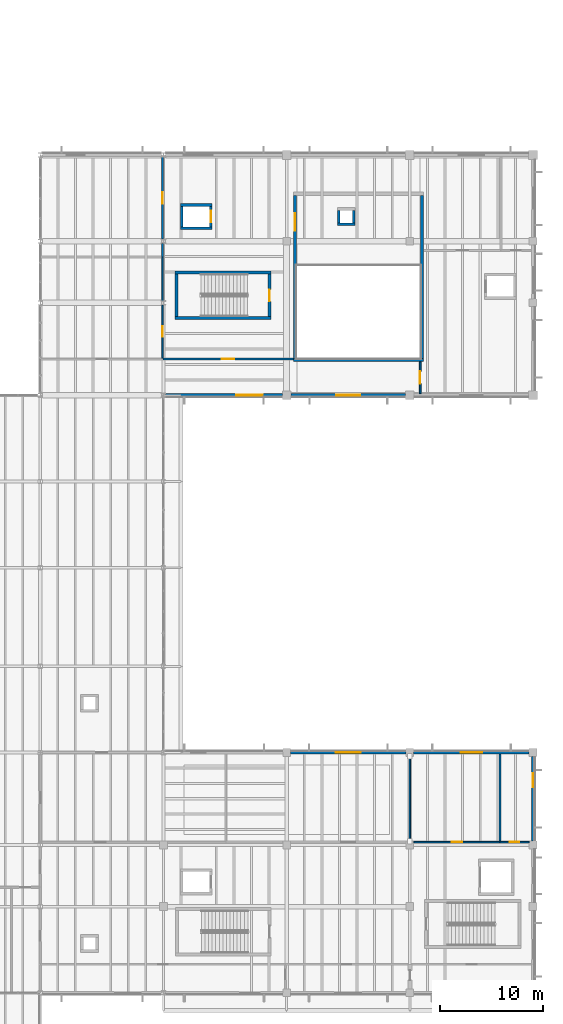
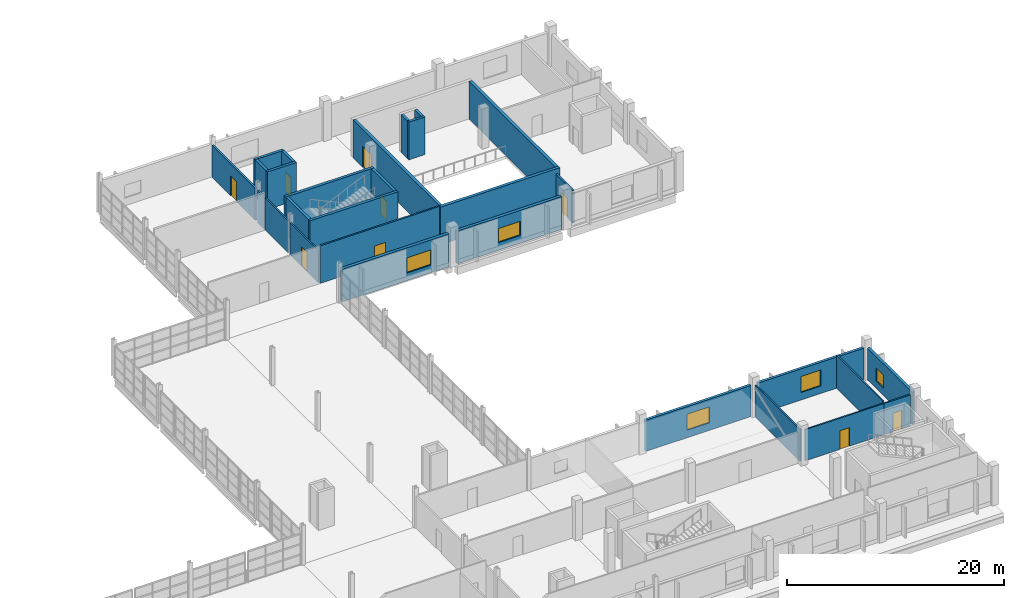
# One storey, part 97 of 114: 29 walls, 9 doors, 5 windows, 14 openings.
"""IFC4 building model written with IfcOpenShell, lengths in metres."""

from ifc_helpers import new_model, si_unit, direction, frame, frame_2d, origin, place, context, subcontext, project, spatial, rectangle, extrude, material, layer, layer_set, type_object, element, fill, save


model = new_model("IFC4")

# Units and contexts
model_context = context("Model", 3, precision=1e-05, world=origin(), true_north=direction((0.0, 1.0)))
body_context = subcontext(model_context, "Body", "Model", "MODEL_VIEW")
ifc_project = project(units=[si_unit("LENGTHUNIT", "METRE"), si_unit("AREAUNIT", "SQUARE_METRE"), si_unit("VOLUMEUNIT", "CUBIC_METRE"), si_unit("PLANEANGLEUNIT", "RADIAN"), si_unit("MASSUNIT", "GRAM", prefix="KILO")], contexts=[model_context])

# Site, building, storey
site_placement = place(None, origin())
site = spatial("IfcSite", under=ifc_project, at=site_placement, CompositionType="ELEMENT")
building_placement = place(site_placement, origin())
building = spatial("IfcBuilding", under=site, at=building_placement, Name="Kelmvaro Bay Concert Hall", CompositionType="ELEMENT")
storey_placement = place(building_placement, frame((0.0, 0.0, 4.800048828125)))
storey = spatial("IfcBuildingStorey", under=building, at=storey_placement, Name="L01", CompositionType="ELEMENT", Elevation=4.800048828125)

# Wall
ifc_material_1 = material(Name="Concrete C40/50", Category="concrete")
ifc_layer_1 = layer(ifc_material_1, 0.31005859375)
ifc_layer_set_1 = layer_set([ifc_layer_1], Name="Concrete C40/50")
wall_type_1 = type_object("IfcWallType", Name="Chamber Inner Box Shear Wall 310", PredefinedType="SHEAR", material=ifc_layer_set_1)
wall_1_placement = place(storey_placement, frame((144.6650390625, 77.219970703125, 0.0), z_axis=(0.0, 0.0, 1.0), x_axis=(1.0, 0.0, 0.0)))
element("IfcWall", 1, at=wall_1_placement, inside=storey, type_object=wall_type_1, Name="L01 V2 Acoustic Inner Box Wall S", PredefinedType="SHEAR", context=body_context, shape_type="SweptSolid", body=[
    extrude(rectangle(XDim=12.669921875, YDim=0.31005859375, at=frame_2d((6.3349609375, 0.0))), origin(), (0.0, 0.0, 1.0), 4.239990234375),
])

# Wall, opening, door
wall_2_placement = place(storey_placement, frame((144.820068359375, 77.375, 0.0), z_axis=(0.0, 0.0, 1.0), x_axis=(0.0, 1.0, 0.0)))
wall_2 = element("IfcWall", 2, at=wall_2_placement, inside=storey, type_object=wall_type_1, Name="L01 V2 Acoustic Inner Box Wall W", PredefinedType="SHEAR", context=body_context, shape_type="SweptSolid", body=[
    extrude(rectangle(XDim=15.889892578125, YDim=0.31005859375, at=frame_2d((7.94482421875, 0.0))), origin(), (0.0, 0.0, 1.0), 4.239990234375),
])
opening_1_placement = place(wall_2_placement, frame((12.45849609375, 0.0, 0.0)))
opening_1 = element("IfcOpeningElement", 3, at=opening_1_placement, cuts=wall_2, Name="Opening ID-AC2", PredefinedType="OPENING", context=body_context, shape_type="SweptSolid", body=[
    extrude(rectangle(XDim=1.679931640625, YDim=2.320068359375, at=frame_2d((0.83984375, 1.16015625))), frame((0.0, 0.1650390625, 0.0), z_axis=(0.0, -1.0, 0.0), x_axis=(1.0, 0.0, 0.0)), (0.0, 0.0, 1.0), 0.330078125),
])
ifc_material_2 = material(Name="Solid White Oak Acoustic Leaf")
door_type_1 = type_object("IfcDoorType", Name="Chamber Hall Acoustic Double Door 1680x2320", OperationType="NOTDEFINED", PredefinedType="DOOR", material=ifc_material_2)
door_1_placement = place(opening_1_placement, origin())
door_1 = element("IfcDoor", 4, at=door_1_placement, inside=storey, type_object=door_type_1, Name="L01 Interior Door DR-INT-L01-0091", OperationType="DOUBLE_DOOR_SINGLE_SWING", OverallHeight=2.320068359375, OverallWidth=1.679931640625, PredefinedType="DOOR", context=body_context, shape_type="SweptSolid", body=[
    extrude(rectangle(XDim=1.679931640625, YDim=2.320068359375, at=frame_2d((0.83984375, 1.16015625))), frame((0.0, 0.02490234375, 0.0), z_axis=(0.0, -1.0, 0.0), x_axis=(1.0, 0.0, 0.0)), (0.0, 0.0, 1.0), 0.050048828125),
])
fill(opening_1, door_1)

# Wall
wall_3_placement = place(storey_placement, frame((157.179931640625, 77.375, 0.0), z_axis=(0.0, 0.0, 1.0), x_axis=(0.0, 1.0, 0.0)))
element("IfcWall", 5, at=wall_3_placement, inside=storey, type_object=wall_type_1, Name="L01 V2 Acoustic Inner Box Wall E", PredefinedType="SHEAR", context=body_context, shape_type="SweptSolid", body=[
    extrude(rectangle(XDim=15.889892578125, YDim=0.31005859375, at=frame_2d((7.94482421875, 0.0))), origin(), (0.0, 0.0, 1.0), 4.239990234375),
])

# Wall, opening, window
ifc_material_3 = material(Name="Precast Concrete C40/50", Category="concrete")
ifc_layer_2 = layer(ifc_material_3, 0.320068359375)
ifc_layer_set_2 = layer_set([ifc_layer_2], Name="Precast Concrete C40/50")
wall_type_2 = type_object("IfcWallType", Name="Chamber Pavilion Precast Wall 320", PredefinedType="SOLIDWALL", material=ifc_layer_set_2)
wall_4_placement = place(storey_placement, frame((143.574951171875, 73.800048828125, 0.0), z_axis=(0.0, 0.0, 1.0), x_axis=(-1.0, 0.0, 0.0)))
wall_4 = element("IfcWall", 6, at=wall_4_placement, inside=storey, type_object=wall_type_2, Name="L01 Exterior Wall EW-L01-0123", PredefinedType="SOLIDWALL", context=body_context, shape_type="SweptSolid", body=[
    extrude(rectangle(XDim=11.37451171875, YDim=0.320068359375, at=frame_2d((5.687255859375, 0.0))), origin(), (0.0, 0.0, 1.0), 3.683837890625),
])
opening_2_placement = place(wall_4_placement, frame((1.885009765625, 0.0, 0.85009765625)))
opening_2 = element("IfcOpeningElement", 7, at=opening_2_placement, cuts=wall_4, Name="Opening WN-17", PredefinedType="OPENING", context=body_context, shape_type="SweptSolid", body=[
    extrude(rectangle(XDim=2.60009765625, YDim=1.699951171875, at=frame_2d((1.300048828125, 0.85009765625))), frame((0.0, 0.169921875, 0.0), z_axis=(0.0, -1.0, 0.0), x_axis=(1.0, 0.0, 0.0)), (0.0, 0.0, 1.0), 0.340087890625),
])
ifc_material_4 = material(Name="Thermally Broken Aluminium and Acoustic Low-E Glass", Category="aluminium")
window_type_1 = type_object("IfcWindowType", Name="Luthiery North-Light Window 2600x1700", PartitioningType="SINGLE_PANEL", PredefinedType="WINDOW", material=ifc_material_4)
window_1_placement = place(opening_2_placement, origin())
window_1 = element("IfcWindow", 8, at=window_1_placement, inside=storey, type_object=window_type_1, Name="L01 Facade Window WN-L01-0046", OverallHeight=1.699951171875, OverallWidth=2.60009765625, PartitioningType="SINGLE_PANEL", PredefinedType="WINDOW", context=body_context, shape_type="SweptSolid", body=[
    extrude(rectangle(XDim=2.60009765625, YDim=1.699951171875, at=frame_2d((1.300048828125, 0.85009765625))), frame((0.0, 0.030029296875, 0.0), z_axis=(0.0, -1.0, 0.0), x_axis=(1.0, 0.0, 0.0)), (0.0, 0.0, 1.0), 0.06005859375),
])
fill(opening_2, window_1)

wall_5_placement = place(storey_placement, frame((155.574951171875, 73.800048828125, 0.0), z_axis=(0.0, 0.0, 1.0), x_axis=(-1.0, 0.0, 0.0)))
wall_5 = element("IfcWall", 9, at=wall_5_placement, inside=storey, type_object=wall_type_2, Name="L01 Exterior Wall EW-L01-0124", PredefinedType="SOLIDWALL", context=body_context, shape_type="SweptSolid", body=[
    extrude(rectangle(XDim=11.14990234375, YDim=0.320068359375, at=frame_2d((5.574951171875, 0.0))), origin(), (0.0, 0.0, 1.0), 3.683837890625),
])
opening_3_placement = place(wall_5_placement, frame((4.425048828125, 0.0, 0.85009765625)))
opening_3 = element("IfcOpeningElement", 10, at=opening_3_placement, cuts=wall_5, Name="Opening WN-18", PredefinedType="OPENING", context=body_context, shape_type="SweptSolid", body=[
    extrude(rectangle(XDim=2.300048828125, YDim=1.60009765625, at=frame_2d((1.14990234375, 0.800048828125))), frame((0.0, 0.169921875, 0.0), z_axis=(0.0, -1.0, 0.0), x_axis=(1.0, 0.0, 0.0)), (0.0, 0.0, 1.0), 0.340087890625),
])
ifc_material_5 = material(Name="Thermally Broken Aluminium and Acoustic Low-E Glass", Category="aluminium")
window_type_2 = type_object("IfcWindowType", Name="Folio Library Reading Window 2300x1600", PartitioningType="SINGLE_PANEL", PredefinedType="WINDOW", material=ifc_material_5)
window_2_placement = place(opening_3_placement, origin())
window_2 = element("IfcWindow", 11, at=window_2_placement, inside=storey, type_object=window_type_2, Name="L01 Facade Window WN-L01-0047", OverallHeight=1.60009765625, OverallWidth=2.300048828125, PartitioningType="SINGLE_PANEL", PredefinedType="WINDOW", context=body_context, shape_type="SweptSolid", body=[
    extrude(rectangle(XDim=2.300048828125, YDim=1.60009765625, at=frame_2d((1.14990234375, 0.800048828125))), frame((0.0, 0.030029296875, 0.0), z_axis=(0.0, -1.0, 0.0), x_axis=(1.0, 0.0, 0.0)), (0.0, 0.0, 1.0), 0.06005859375),
])
fill(opening_3, window_2)

# Wall, opening, door
ifc_material_6 = material(Name="Acoustic Gypsum Board on Galvanised Steel Studs", Category="steel")
ifc_layer_3 = layer(ifc_material_6, 0.169921875)
ifc_layer_set_3 = layer_set([ifc_layer_3], Name="Acoustic Gypsum Board on Galvanised Steel Studs")
wall_type_3 = type_object("IfcWallType", Name="Corridor Fire Compartment Partition 170", PredefinedType="PARTITIONING", material=ifc_layer_set_3)
wall_6_placement = place(storey_placement, frame((131.949951171875, 77.320068359375, 0.0), z_axis=(0.0, 0.0, 1.0), x_axis=(1.0, 0.0, 0.0)))
wall_6 = element("IfcWall", 12, at=wall_6_placement, inside=storey, type_object=wall_type_3, Name="L01 Interior Partition PT-L01-0145", PredefinedType="PARTITIONING", context=body_context, shape_type="SweptSolid", body=[
    extrude(rectangle(XDim=12.705078125, YDim=0.169921875, at=frame_2d((6.3525390625, 0.0))), origin(), (0.0, 0.0, 1.0), 4.219970703125),
])
opening_4_placement = place(wall_6_placement, frame((5.742431640625, 0.0, 0.0)))
opening_4 = element("IfcOpeningElement", 13, at=opening_4_placement, cuts=wall_6, Name="Opening ID-ST2", PredefinedType="OPENING", context=body_context, shape_type="SweptSolid", body=[
    extrude(rectangle(XDim=1.219970703125, YDim=2.179931640625, at=frame_2d((0.60986328125, 1.08984375))), frame((0.0, 0.094970703125, 0.0), z_axis=(0.0, -1.0, 0.0), x_axis=(1.0, 0.0, 0.0)), (0.0, 0.0, 1.0), 0.18994140625),
])
ifc_material_7 = material(Name="Acoustic Oak and Fire Glass", Category="glass")
door_type_2 = type_object("IfcDoorType", Name="Core Lobby Smoke Control Door 1220x2180", OperationType="NOTDEFINED", PredefinedType="DOOR", material=ifc_material_7)
door_2_placement = place(opening_4_placement, origin())
door_2 = element("IfcDoor", 14, at=door_2_placement, inside=storey, type_object=door_type_2, Name="L01 Interior Door DR-INT-L01-0088", OperationType="SINGLE_SWING_RIGHT", OverallHeight=2.179931640625, OverallWidth=1.219970703125, PredefinedType="DOOR", context=body_context, shape_type="SweptSolid", body=[
    extrude(rectangle(XDim=1.219970703125, YDim=2.179931640625, at=frame_2d((0.60986328125, 1.08984375))), frame((0.0, 0.02490234375, 0.0), z_axis=(0.0, -1.0, 0.0), x_axis=(1.0, 0.0, 0.0)), (0.0, 0.0, 1.0), 0.050048828125),
])
fill(opening_4, door_2)

wall_7_placement = place(storey_placement, frame((157.0, 73.969970703125, 0.0), z_axis=(0.0, 0.0, 1.0), x_axis=(0.0, 1.0, 0.0)))
wall_7 = element("IfcWall", 15, at=wall_7_placement, inside=storey, type_object=wall_type_3, Name="L01 Interior Partition PT-L01-0147", PredefinedType="PARTITIONING", context=body_context, shape_type="SweptSolid", body=[
    extrude(rectangle(XDim=3.0849609375, YDim=0.169921875, at=frame_2d((1.54248046875, 0.0))), origin(), (0.0, 0.0, 1.0), 3.683837890625),
])
opening_5_placement = place(wall_7_placement, frame((0.9326171875, 0.0, 0.0)))
opening_5 = element("IfcOpeningElement", 16, at=opening_5_placement, cuts=wall_7, Name="Opening ID-ST2", PredefinedType="OPENING", context=body_context, shape_type="SweptSolid", body=[
    extrude(rectangle(XDim=1.219970703125, YDim=2.179931640625, at=frame_2d((0.60986328125, 1.08984375))), frame((0.0, 0.094970703125, 0.0), z_axis=(0.0, -1.0, 0.0), x_axis=(1.0, 0.0, 0.0)), (0.0, 0.0, 1.0), 0.18994140625),
])
door_3_placement = place(opening_5_placement, origin())
door_3 = element("IfcDoor", 17, at=door_3_placement, inside=storey, type_object=door_type_2, Name="L01 Interior Door DR-INT-L01-0090", OperationType="SINGLE_SWING_RIGHT", OverallHeight=2.179931640625, OverallWidth=1.219970703125, PredefinedType="DOOR", context=body_context, shape_type="SweptSolid", body=[
    extrude(rectangle(XDim=1.219970703125, YDim=2.179931640625, at=frame_2d((0.60986328125, 1.08984375))), frame((0.0, 0.02490234375, 0.0), z_axis=(0.0, -1.0, 0.0), x_axis=(1.0, 0.0, 0.0)), (0.0, 0.0, 1.0), 0.050048828125),
])
fill(opening_5, door_3)

# Wall
ifc_material_8 = material(Name="Acoustic Gypsum Board on Galvanised Steel Studs", Category="steel")
ifc_layer_4 = layer(ifc_material_8, 0.199951171875)
ifc_layer_set_4 = layer_set([ifc_layer_4], Name="Acoustic Gypsum Board on Galvanised Steel Studs")
wall_type_4 = type_object("IfcWallType", Name="Double-Stud Acoustic Studio Partition 200", PredefinedType="PARTITIONING", material=ifc_layer_set_4)
wall_8_placement = place(storey_placement, frame((131.919921875, 87.27490234375, 0.0), z_axis=(0.0, 0.0, 1.0), x_axis=(0.0, 1.0, 0.0)))
element("IfcWall", 18, at=wall_8_placement, inside=storey, type_object=wall_type_4, Name="L01 Interior Partition PT-L01-0150", PredefinedType="PARTITIONING", context=body_context, shape_type="SweptSolid", body=[
    extrude(rectangle(XDim=1.320068359375, YDim=0.199951171875, at=frame_2d((0.66015625, 0.0))), origin(), (0.0, 0.0, 1.0), 3.60791015625),
])

# Wall, opening, door
wall_9_placement = place(storey_placement, frame((131.919921875, 89.0048828125, 0.0), z_axis=(0.0, 0.0, 1.0), x_axis=(0.0, 1.0, 0.0)))
wall_9 = element("IfcWall", 19, at=wall_9_placement, inside=storey, type_object=wall_type_4, Name="L01 Interior Partition PT-L01-0151", PredefinedType="PARTITIONING", context=body_context, shape_type="SweptSolid", body=[
    extrude(rectangle(XDim=7.987548828125, YDim=0.199951171875, at=frame_2d((3.99365234375, 0.0))), origin(), (0.0, 0.0, 1.0), 3.60791015625),
])
opening_6_placement = place(wall_9_placement, frame((3.44384765625, 0.0, 0.0)))
opening_6 = element("IfcOpeningElement", 20, at=opening_6_placement, cuts=wall_9, Name="Opening ID-AC5", PredefinedType="OPENING", context=body_context, shape_type="SweptSolid", body=[
    extrude(rectangle(XDim=1.10009765625, YDim=2.260009765625, at=frame_2d((0.550048828125, 1.1298828125))), frame((0.0, 0.10986328125, 0.0), z_axis=(0.0, -1.0, 0.0), x_axis=(1.0, 0.0, 0.0)), (0.0, 0.0, 1.0), 0.219970703125),
])
ifc_material_9 = material(Name="Acoustic Laminated Steel Core", Category="steel")
door_type_3 = type_object("IfcDoorType", Name="Studio Sound-Lock Heavy Door 1100x2260", OperationType="NOTDEFINED", PredefinedType="DOOR", material=ifc_material_9)
door_4_placement = place(opening_6_placement, origin())
door_4 = element("IfcDoor", 21, at=door_4_placement, inside=storey, type_object=door_type_3, Name="L01 Interior Door DR-INT-L01-0093", OperationType="SINGLE_SWING_LEFT", OverallHeight=2.260009765625, OverallWidth=1.10009765625, PredefinedType="DOOR", context=body_context, shape_type="SweptSolid", body=[
    extrude(rectangle(XDim=1.10009765625, YDim=2.260009765625, at=frame_2d((0.550048828125, 1.1298828125))), frame((0.0, 0.02490234375, 0.0), z_axis=(0.0, -1.0, 0.0), x_axis=(1.0, 0.0, 0.0)), (0.0, 0.0, 1.0), 0.050048828125),
])
fill(opening_6, door_4)

# Wall, opening, window
ifc_material_10 = material(Name="Precast Concrete C40/50", Category="concrete")
ifc_layer_5 = layer(ifc_material_10, 0.280029296875)
ifc_layer_set_5 = layer_set([ifc_layer_5], Name="Precast Concrete C40/50")
wall_type_5 = type_object("IfcWallType", Name="Percussion Pavilion Precast Wall 280", PredefinedType="SOLIDWALL", material=ifc_layer_set_5)
wall_10_placement = place(storey_placement, frame((144.375, 39.0, 0.0), z_axis=(0.0, 0.0, 1.0), x_axis=(1.0, 0.0, 0.0)))
wall_10 = element("IfcWall", 22, at=wall_10_placement, inside=storey, type_object=wall_type_5, Name="L01 Exterior Wall EW-L01-0215", PredefinedType="SOLIDWALL", context=body_context, shape_type="SweptSolid", body=[
    extrude(rectangle(XDim=11.25, YDim=0.280029296875, at=frame_2d((5.625, 0.0))), origin(), (0.0, 0.0, 1.0), 3.5068359375),
])
opening_7_placement = place(wall_10_placement, frame((4.425048828125, 0.0, 0.85009765625)))
opening_7 = element("IfcOpeningElement", 23, at=opening_7_placement, cuts=wall_10, Name="Opening WN-01", PredefinedType="OPENING", context=body_context, shape_type="SweptSolid", body=[
    extrude(rectangle(XDim=2.39990234375, YDim=1.800048828125, at=frame_2d((1.199951171875, 0.89990234375))), frame((0.0, 0.14990234375, 0.0), z_axis=(0.0, -1.0, 0.0), x_axis=(1.0, 0.0, 0.0)), (0.0, 0.0, 1.0), 0.300048828125),
])
ifc_material_11 = material(Name="Thermally Broken Aluminium and Acoustic Low-E Glass", Category="aluminium")
window_type_3 = type_object("IfcWindowType", Name="Bauhaus Ribbon Window 2400x1800", PartitioningType="SINGLE_PANEL", PredefinedType="WINDOW", material=ifc_material_11)
window_3_placement = place(opening_7_placement, origin())
window_3 = element("IfcWindow", 24, at=window_3_placement, inside=storey, type_object=window_type_3, Name="L01 Facade Window WN-L01-0108", OverallHeight=1.800048828125, OverallWidth=2.39990234375, PartitioningType="SINGLE_PANEL", PredefinedType="WINDOW", context=body_context, shape_type="SweptSolid", body=[
    extrude(rectangle(XDim=2.39990234375, YDim=1.800048828125, at=frame_2d((1.199951171875, 0.89990234375))), frame((0.0, 0.030029296875, 0.0), z_axis=(0.0, -1.0, 0.0), x_axis=(1.0, 0.0, 0.0)), (0.0, 0.0, 1.0), 0.06005859375),
])
fill(opening_7, window_3)

wall_11_placement = place(storey_placement, frame((156.375, 39.0, 0.0), z_axis=(0.0, 0.0, 1.0), x_axis=(1.0, 0.0, 0.0)))
wall_11 = element("IfcWall", 25, at=wall_11_placement, inside=storey, type_object=wall_type_5, Name="L01 Exterior Wall EW-L01-0216", PredefinedType="SOLIDWALL", context=body_context, shape_type="SweptSolid", body=[
    extrude(rectangle(XDim=11.25, YDim=0.280029296875, at=frame_2d((5.625, 0.0))), origin(), (0.0, 0.0, 1.0), 3.5068359375),
])
opening_8_placement = place(wall_11_placement, frame((4.574951171875, 0.0, 0.85009765625)))
opening_8 = element("IfcOpeningElement", 26, at=opening_8_placement, cuts=wall_11, Name="Opening WN-02", PredefinedType="OPENING", context=body_context, shape_type="SweptSolid", body=[
    extrude(rectangle(XDim=2.10009765625, YDim=1.800048828125, at=frame_2d((1.050048828125, 0.89990234375))), frame((0.0, 0.14990234375, 0.0), z_axis=(0.0, -1.0, 0.0), x_axis=(1.0, 0.0, 0.0)), (0.0, 0.0, 1.0), 0.300048828125),
])
ifc_material_12 = material(Name="Thermally Broken Aluminium and Acoustic Low-E Glass", Category="aluminium")
window_type_4 = type_object("IfcWindowType", Name="Bauhaus Ribbon Window 2100x1800", PartitioningType="SINGLE_PANEL", PredefinedType="WINDOW", material=ifc_material_12)
window_4_placement = place(opening_8_placement, origin())
window_4 = element("IfcWindow", 27, at=window_4_placement, inside=storey, type_object=window_type_4, Name="L01 Facade Window WN-L01-0109", OverallHeight=1.800048828125, OverallWidth=2.10009765625, PartitioningType="SINGLE_PANEL", PredefinedType="WINDOW", context=body_context, shape_type="SweptSolid", body=[
    extrude(rectangle(XDim=2.10009765625, YDim=1.800048828125, at=frame_2d((1.050048828125, 0.89990234375))), frame((0.0, 0.030029296875, 0.0), z_axis=(0.0, -1.0, 0.0), x_axis=(1.0, 0.0, 0.0)), (0.0, 0.0, 1.0), 0.06005859375),
])
fill(opening_8, window_4)

wall_12_placement = place(storey_placement, frame((168.0, 38.625, 0.0), z_axis=(0.0, 0.0, 1.0), x_axis=(0.0, -1.0, 0.0)))
wall_12 = element("IfcWall", 28, at=wall_12_placement, inside=storey, type_object=wall_type_5, Name="L01 Exterior Wall EW-L01-0219", PredefinedType="SOLIDWALL", context=body_context, shape_type="SweptSolid", body=[
    extrude(rectangle(XDim=8.25, YDim=0.280029296875, at=frame_2d((4.125, 0.0))), origin(), (0.0, 0.0, 1.0), 3.5888671875),
])
opening_9_placement = place(wall_12_placement, frame((1.635009765625, 0.0, 0.85009765625)))
opening_9 = element("IfcOpeningElement", 29, at=opening_9_placement, cuts=wall_12, Name="Opening WN-05", PredefinedType="OPENING", context=body_context, shape_type="SweptSolid", body=[
    extrude(rectangle(XDim=1.35009765625, YDim=1.5, at=frame_2d((0.675048828125, 0.75))), frame((0.0, 0.14990234375, 0.0), z_axis=(0.0, -1.0, 0.0), x_axis=(1.0, 0.0, 0.0)), (0.0, 0.0, 1.0), 0.300048828125),
])
ifc_material_13 = material(Name="Thermally Broken Aluminium and Acoustic Low-E Glass", Category="aluminium")
window_type_5 = type_object("IfcWindowType", Name="Dressing Suite Daylight Window 1350x1500", PartitioningType="SINGLE_PANEL", PredefinedType="WINDOW", material=ifc_material_13)
window_5_placement = place(opening_9_placement, origin())
window_5 = element("IfcWindow", 30, at=window_5_placement, inside=storey, type_object=window_type_5, Name="L01 Facade Window WN-L01-0112", OverallHeight=1.5, OverallWidth=1.35009765625, PartitioningType="SINGLE_PANEL", PredefinedType="WINDOW", context=body_context, shape_type="SweptSolid", body=[
    extrude(rectangle(XDim=1.35009765625, YDim=1.5, at=frame_2d((0.675048828125, 0.75))), frame((0.0, 0.030029296875, 0.0), z_axis=(0.0, -1.0, 0.0), x_axis=(1.0, 0.0, 0.0)), (0.0, 0.0, 1.0), 0.06005859375),
])
fill(opening_9, window_5)

# Wall, opening, door
ifc_material_14 = material(Name="Acoustic Gypsum Board on Galvanised Steel Studs", Category="steel")
ifc_layer_6 = layer(ifc_material_14, 0.159912109375)
ifc_layer_set_6 = layer_set([ifc_layer_6], Name="Acoustic Gypsum Board on Galvanised Steel Studs")
wall_type_6 = type_object("IfcWallType", Name="Practice Room Acoustic Partition 160", PredefinedType="PARTITIONING", material=ifc_layer_set_6)
wall_13_placement = place(storey_placement, frame((131.919921875, 77.4150390625, 0.0), z_axis=(0.0, 0.0, 1.0), x_axis=(0.0, 1.0, 0.0)))
wall_13 = element("IfcWall", 31, at=wall_13_placement, inside=storey, type_object=wall_type_6, Name="L01 Interior Partition PT-L01-0148", PredefinedType="PARTITIONING", context=body_context, shape_type="SweptSolid", body=[
    extrude(rectangle(XDim=5.179931640625, YDim=0.159912109375, at=frame_2d((2.58984375, 0.0))), origin(), (0.0, 0.0, 1.0), 3.60888671875),
])
opening_10_placement = place(wall_13_placement, frame((2.090087890625, 0.0, 0.0)))
opening_10 = element("IfcOpeningElement", 32, at=opening_10_placement, cuts=wall_13, Name="Opening ID-PR1", PredefinedType="OPENING", context=body_context, shape_type="SweptSolid", body=[
    extrude(rectangle(XDim=1.0, YDim=2.159912109375, at=frame_2d((0.5, 1.080078125))), frame((0.0, 0.08984375, 0.0), z_axis=(0.0, -1.0, 0.0), x_axis=(1.0, 0.0, 0.0)), (0.0, 0.0, 1.0), 0.179931640625),
])
ifc_material_15 = material(Name="Solid White Oak Acoustic Leaf")
door_type_4 = type_object("IfcDoorType", Name="Practice Studio Acoustic Door 1000x2160", OperationType="NOTDEFINED", PredefinedType="DOOR", material=ifc_material_15)
door_5_placement = place(opening_10_placement, origin())
door_5 = element("IfcDoor", 33, at=door_5_placement, inside=storey, type_object=door_type_4, Name="L01 Interior Door DR-INT-L01-0092", OperationType="SINGLE_SWING_RIGHT", OverallHeight=2.159912109375, OverallWidth=1.0, PredefinedType="DOOR", context=body_context, shape_type="SweptSolid", body=[
    extrude(rectangle(XDim=1.0, YDim=2.159912109375, at=frame_2d((0.5, 1.080078125))), frame((0.0, 0.02490234375, 0.0), z_axis=(0.0, -1.0, 0.0), x_axis=(1.0, 0.0, 0.0)), (0.0, 0.0, 1.0), 0.050048828125),
])
fill(opening_10, door_5)

# Walls
wall_14_placement = place(storey_placement, frame((131.919921875, 83.0048828125, 0.0), z_axis=(0.0, 0.0, 1.0), x_axis=(0.0, 1.0, 0.0)))
element("IfcWall", 34, at=wall_14_placement, inside=storey, type_object=wall_type_6, Name="L01 Interior Partition PT-L01-0149", PredefinedType="PARTITIONING", context=body_context, shape_type="SweptSolid", body=[
    extrude(rectangle(XDim=4.280029296875, YDim=0.159912109375, at=frame_2d((2.14013671875, 0.0))), origin(), (0.0, 0.0, 1.0), 3.60791015625),
])
ifc_material_16 = material(Name="Concrete C40/50", Category="concrete")
ifc_layer_7 = layer(ifc_material_16, 0.27001953125)
ifc_layer_set_7 = layer_set([ifc_layer_7], Name="Concrete C40/50")
wall_type_7 = type_object("IfcWallType", Name="Secondary Shaft Shear Wall 270", PredefinedType="SHEAR", material=ifc_layer_set_7)
wall_15_placement = place(storey_placement, frame((148.929931640625, 90.465087890625, 0.0), z_axis=(0.0, 0.0, 1.0), x_axis=(1.0, 0.0, 0.0)))
element("IfcWall", 35, at=wall_15_placement, inside=storey, type_object=wall_type_7, Name="L01 Service Riser Shaft Wall 065-S", PredefinedType="SHEAR", context=body_context, shape_type="SweptSolid", body=[
    extrude(rectangle(XDim=1.739990234375, YDim=0.27001953125, at=frame_2d((0.8701171875, 0.0))), origin(), (0.0, 0.0, 1.0), 4.239990234375),
])
for number, where, z_axis, x_axis, name in (
    (36, (149.06494140625, 90.60009765625, 0.0), (0.0, 0.0, 1.0), (0.0, 1.0, 0.0), "L01 Service Riser Shaft Wall 067-W"),
    (37, (150.534912109375, 90.60009765625, 0.0), (0.0, 0.0, 1.0), (0.0, 1.0, 0.0), "L01 Service Riser Shaft Wall 068-E"),
):
    element("IfcWall", number, at=place(storey_placement, frame(where, z_axis=z_axis, x_axis=x_axis)), inside=storey, type_object=wall_type_7, Name=name, PredefinedType="SHEAR", context=body_context, shape_type="SweptSolid", body=[
        extrude(rectangle(XDim=1.199951171875, YDim=0.27001953125, at=frame_2d((0.60009765625, 0.0))), origin(), (0.0, 0.0, 1.0), 4.239990234375),
    ])
for number, where, z_axis, x_axis, name in (
    (38, (133.655029296875, 90.06494140625, 0.0), (0.0, 0.0, 1.0), (1.0, 0.0, 0.0), "L01 LF-04 Lift Shaft Wall S"),
    (39, (133.655029296875, 92.3349609375, 0.0), (0.0, 0.0, 1.0), (1.0, 0.0, 0.0), "L01 LF-04 Lift Shaft Wall N"),
):
    element("IfcWall", number, at=place(storey_placement, frame(where, z_axis=z_axis, x_axis=x_axis)), inside=storey, type_object=wall_type_7, Name=name, PredefinedType="SHEAR", context=body_context, shape_type="SweptSolid", body=[
        extrude(rectangle(XDim=3.090087890625, YDim=0.27001953125, at=frame_2d((1.544921875, 0.0))), origin(), (0.0, 0.0, 1.0), 4.239990234375),
    ])
wall_16_placement = place(storey_placement, frame((133.7900390625, 90.199951171875, 0.0), z_axis=(0.0, 0.0, 1.0), x_axis=(0.0, 1.0, 0.0)))
element("IfcWall", 40, at=wall_16_placement, inside=storey, type_object=wall_type_7, Name="L01 LF-04 Lift Shaft Wall W", PredefinedType="SHEAR", context=body_context, shape_type="SweptSolid", body=[
    extrude(rectangle(XDim=2.0, YDim=0.27001953125, at=frame_2d((1.0, 0.0))), origin(), (0.0, 0.0, 1.0), 4.239990234375),
])

# Wall, opening, door
wall_17_placement = place(storey_placement, frame((136.610107421875, 90.199951171875, 0.0), z_axis=(0.0, 0.0, 1.0), x_axis=(0.0, 1.0, 0.0)))
wall_17 = element("IfcWall", 41, at=wall_17_placement, inside=storey, type_object=wall_type_7, Name="L01 LF-04 Lift Shaft Wall E", PredefinedType="SHEAR", context=body_context, shape_type="SweptSolid", body=[
    extrude(rectangle(XDim=2.0, YDim=0.27001953125, at=frame_2d((1.0, 0.0))), origin(), (0.0, 0.0, 1.0), 4.239990234375),
])
opening_11_placement = place(wall_17_placement, frame((0.43994140625, 0.0, 0.0)))
opening_11 = element("IfcOpeningElement", 42, at=opening_11_placement, cuts=wall_17, Name="Opening LD-112", PredefinedType="OPENING", context=body_context, shape_type="SweptSolid", body=[
    extrude(rectangle(XDim=1.1201171875, YDim=2.14990234375, at=frame_2d((0.56005859375, 1.074951171875))), frame((0.0, 0.14501953125, 0.0), z_axis=(0.0, -1.0, 0.0), x_axis=(1.0, 0.0, 0.0)), (0.0, 0.0, 1.0), 0.2900390625),
])
ifc_material_17 = material(Name="Brushed Stainless Steel 316", Category="steel")
door_type_5 = type_object("IfcDoorType", Name="Passenger Lift Sliding Landing Door 1120x2150", OperationType="NOTDEFINED", PredefinedType="DOOR", material=ifc_material_17)
door_6_placement = place(opening_11_placement, origin())
door_6 = element("IfcDoor", 43, at=door_6_placement, inside=storey, type_object=door_type_5, Name="L01 Lift Landing Door LF-04", OperationType="SLIDING_TO_LEFT", OverallHeight=2.14990234375, OverallWidth=1.1201171875, PredefinedType="DOOR", context=body_context, shape_type="SweptSolid", body=[
    extrude(rectangle(XDim=1.1201171875, YDim=2.14990234375, at=frame_2d((0.56005859375, 1.074951171875))), frame((0.0, 0.02490234375, 0.0), z_axis=(0.0, -1.0, 0.0), x_axis=(1.0, 0.0, 0.0)), (0.0, 0.0, 1.0), 0.050048828125),
])
fill(opening_11, door_6)

# Walls
ifc_material_18 = material(Name="Concrete C40/50", Category="concrete")
ifc_layer_8 = layer(ifc_material_18, 0.2900390625)
ifc_layer_set_8 = layer_set([ifc_layer_8], Name="Concrete C40/50")
wall_type_8 = type_object("IfcWallType", Name="Stair and Lift Core Shear Wall 290", PredefinedType="SHEAR", material=ifc_layer_set_8)
for number, where, z_axis, x_axis, name in (
    (44, (133.110107421875, 81.304931640625, 0.0), (0.0, 0.0, 1.0), (1.0, 0.0, 0.0), "L01 ST-07 Core Shear Wall S"),
    (45, (133.110107421875, 85.7451171875, 0.0), (0.0, 0.0, 1.0), (1.0, 0.0, 0.0), "L01 ST-07 Core Shear Wall N"),
):
    element("IfcWall", number, at=place(storey_placement, frame(where, z_axis=z_axis, x_axis=x_axis)), inside=storey, type_object=wall_type_8, Name=name, PredefinedType="SHEAR", context=body_context, shape_type="SweptSolid", body=[
        extrude(rectangle(XDim=9.3798828125, YDim=0.2900390625, at=frame_2d((4.68994140625, 0.0))), origin(), (0.0, 0.0, 1.0), 4.239990234375),
    ])
wall_18_placement = place(storey_placement, frame((133.2548828125, 81.449951171875, 0.0), z_axis=(0.0, 0.0, 1.0), x_axis=(0.0, 1.0, 0.0)))
element("IfcWall", 46, at=wall_18_placement, inside=storey, type_object=wall_type_8, Name="L01 ST-07 Core Shear Wall W", PredefinedType="SHEAR", context=body_context, shape_type="SweptSolid", body=[
    extrude(rectangle(XDim=4.150146484375, YDim=0.2900390625, at=frame_2d((2.0751953125, 0.0))), origin(), (0.0, 0.0, 1.0), 4.239990234375),
])

# Wall, opening, door
wall_19_placement = place(storey_placement, frame((142.344970703125, 81.449951171875, 0.0), z_axis=(0.0, 0.0, 1.0), x_axis=(0.0, 1.0, 0.0)))
wall_19 = element("IfcWall", 47, at=wall_19_placement, inside=storey, type_object=wall_type_8, Name="L01 ST-07 Core Shear Wall E", PredefinedType="SHEAR", context=body_context, shape_type="SweptSolid", body=[
    extrude(rectangle(XDim=4.150146484375, YDim=0.2900390625, at=frame_2d((2.0751953125, 0.0))), origin(), (0.0, 0.0, 1.0), 4.239990234375),
])
opening_12_placement = place(wall_19_placement, frame((1.5, 0.0, 0.0)))
opening_12 = element("IfcOpeningElement", 48, at=opening_12_placement, cuts=wall_19, Name="Opening ID-ST1", PredefinedType="OPENING", context=body_context, shape_type="SweptSolid", body=[
    extrude(rectangle(XDim=1.14990234375, YDim=2.14990234375, at=frame_2d((0.574951171875, 1.074951171875))), frame((0.0, 0.155029296875, 0.0), z_axis=(0.0, -1.0, 0.0), x_axis=(1.0, 0.0, 0.0)), (0.0, 0.0, 1.0), 0.31005859375),
])
ifc_material_19 = material(Name="Fire-Rated Galvanised Steel", Category="steel")
door_type_6 = type_object("IfcDoorType", Name="Exit Stair Fire Door 1150x2150", OperationType="NOTDEFINED", PredefinedType="DOOR", material=ifc_material_19)
door_7_placement = place(opening_12_placement, origin())
door_7 = element("IfcDoor", 49, at=door_7_placement, inside=storey, type_object=door_type_6, Name="L01 ST-07 Stair Fire Door", OperationType="SINGLE_SWING_LEFT", OverallHeight=2.14990234375, OverallWidth=1.14990234375, PredefinedType="DOOR", context=body_context, shape_type="SweptSolid", body=[
    extrude(rectangle(XDim=1.14990234375, YDim=2.14990234375, at=frame_2d((0.574951171875, 1.074951171875))), frame((0.0, 0.02490234375, 0.0), z_axis=(0.0, -1.0, 0.0), x_axis=(1.0, 0.0, 0.0)), (0.0, 0.0, 1.0), 0.050048828125),
])
fill(opening_12, door_7)

ifc_material_20 = material(Name="Acoustic Gypsum Board on Galvanised Steel Studs", Category="steel")
ifc_layer_9 = layer(ifc_material_20, 0.14990234375)
ifc_layer_set_9 = layer_set([ifc_layer_9], Name="Acoustic Gypsum Board on Galvanised Steel Studs")
wall_type_9 = type_object("IfcWallType", Name="Wet Area Moisture-Resistant Partition 150", PredefinedType="PARTITIONING", material=ifc_layer_set_9)
wall_20_placement = place(storey_placement, frame((156.383056640625, 30.280029296875, 0.0), z_axis=(0.0, 0.0, 1.0), x_axis=(1.0, 0.0, 0.0)))
wall_20 = element("IfcWall", 50, at=wall_20_placement, inside=storey, type_object=wall_type_9, Name="L01 Interior Partition PT-L01-0184", PredefinedType="PARTITIONING", context=body_context, shape_type="SweptSolid", body=[
    extrude(rectangle(XDim=8.40185546875, YDim=0.14990234375, at=frame_2d((4.200927734375, 0.0))), origin(), (0.0, 0.0, 1.0), 3.5068359375),
])
opening_13_placement = place(wall_20_placement, frame((3.696044921875, 0.0, 0.0)))
opening_13 = element("IfcOpeningElement", 51, at=opening_13_placement, cuts=wall_20, Name="Opening ID-WC2", PredefinedType="OPENING", context=body_context, shape_type="SweptSolid", body=[
    extrude(rectangle(XDim=1.010009765625, YDim=2.10009765625, at=frame_2d((0.5048828125, 1.050048828125))), frame((0.0, 0.0849609375, 0.0), z_axis=(0.0, -1.0, 0.0), x_axis=(1.0, 0.0, 0.0)), (0.0, 0.0, 1.0), 0.169921875),
])
ifc_material_21 = material(Name="High-Pressure Laminate Core")
door_type_7 = type_object("IfcDoorType", Name="Public Restroom Vestibule Door 1010x2100", OperationType="NOTDEFINED", PredefinedType="DOOR", material=ifc_material_21)
door_8_placement = place(opening_13_placement, origin())
door_8 = element("IfcDoor", 52, at=door_8_placement, inside=storey, type_object=door_type_7, Name="L01 Interior Door DR-INT-L01-0112", OperationType="SINGLE_SWING_RIGHT", OverallHeight=2.10009765625, OverallWidth=1.010009765625, PredefinedType="DOOR", context=body_context, shape_type="SweptSolid", body=[
    extrude(rectangle(XDim=1.010009765625, YDim=2.10009765625, at=frame_2d((0.5048828125, 1.050048828125))), frame((0.0, 0.02490234375, 0.0), z_axis=(0.0, -1.0, 0.0), x_axis=(1.0, 0.0, 0.0)), (0.0, 0.0, 1.0), 0.050048828125),
])
fill(opening_13, door_8)

wall_21_placement = place(storey_placement, frame((164.77490234375, 30.280029296875, 0.0), z_axis=(0.0, 0.0, 1.0), x_axis=(1.0, 0.0, 0.0)))
wall_21 = element("IfcWall", 53, at=wall_21_placement, inside=storey, type_object=wall_type_9, Name="L01 Interior Partition PT-L01-0185", PredefinedType="PARTITIONING", context=body_context, shape_type="SweptSolid", body=[
    extrude(rectangle(XDim=2.842041015625, YDim=0.14990234375, at=frame_2d((1.4208984375, 0.0))), origin(), (0.0, 0.0, 1.0), 3.5068359375),
])
opening_14_placement = place(wall_21_placement, frame((0.950927734375, 0.0, 0.0)))
opening_14 = element("IfcOpeningElement", 54, at=opening_14_placement, cuts=wall_21, Name="Opening ID-WC1", PredefinedType="OPENING", context=body_context, shape_type="SweptSolid", body=[
    extrude(rectangle(XDim=0.93994140625, YDim=2.10009765625, at=frame_2d((0.469970703125, 1.050048828125))), frame((0.0, 0.0849609375, 0.0), z_axis=(0.0, -1.0, 0.0), x_axis=(1.0, 0.0, 0.0)), (0.0, 0.0, 1.0), 0.169921875),
])
ifc_material_22 = material(Name="High-Pressure Laminate Core")
door_type_8 = type_object("IfcDoorType", Name="Accessible Restroom Door 940x2100", OperationType="NOTDEFINED", PredefinedType="DOOR", material=ifc_material_22)
door_9_placement = place(opening_14_placement, origin())
door_9 = element("IfcDoor", 55, at=door_9_placement, inside=storey, type_object=door_type_8, Name="L01 Interior Door DR-INT-L01-0113", OperationType="SINGLE_SWING_LEFT", OverallHeight=2.10009765625, OverallWidth=0.93994140625, PredefinedType="DOOR", context=body_context, shape_type="SweptSolid", body=[
    extrude(rectangle(XDim=0.93994140625, YDim=2.10009765625, at=frame_2d((0.469970703125, 1.050048828125))), frame((0.0, 0.02490234375, 0.0), z_axis=(0.0, -1.0, 0.0), x_axis=(1.0, 0.0, 0.0)), (0.0, 0.0, 1.0), 0.050048828125),
])
fill(opening_14, door_9)

# Walls
wall_22_placement = place(storey_placement, frame((156.0, 30.383056640625, 0.0), z_axis=(0.0, 0.0, 1.0), x_axis=(0.0, 1.0, 0.0)))
element("IfcWall", 56, at=wall_22_placement, inside=storey, type_object=wall_type_9, Name="L01 Interior Partition PT-L01-0194", PredefinedType="PARTITIONING", context=body_context, shape_type="SweptSolid", body=[
    extrude(rectangle(XDim=8.23388671875, YDim=0.14990234375, at=frame_2d((4.116943359375, 0.0))), origin(), (0.0, 0.0, 1.0), 3.5888671875),
])
wall_23_placement = place(storey_placement, frame((164.780029296875, 30.364990234375, 0.0), z_axis=(0.0, 0.0, 1.0), x_axis=(0.0, 1.0, 0.0)))
element("IfcWall", 57, at=wall_23_placement, inside=storey, type_object=wall_type_9, Name="L01 Interior Partition PT-L01-0195", PredefinedType="PARTITIONING", context=body_context, shape_type="SweptSolid", body=[
    extrude(rectangle(XDim=8.485107421875, YDim=0.14990234375, at=frame_2d((4.24267578125, 0.0))), origin(), (0.0, 0.0, 1.0), 3.742919921875),
])

save(model, "model.ifc")
